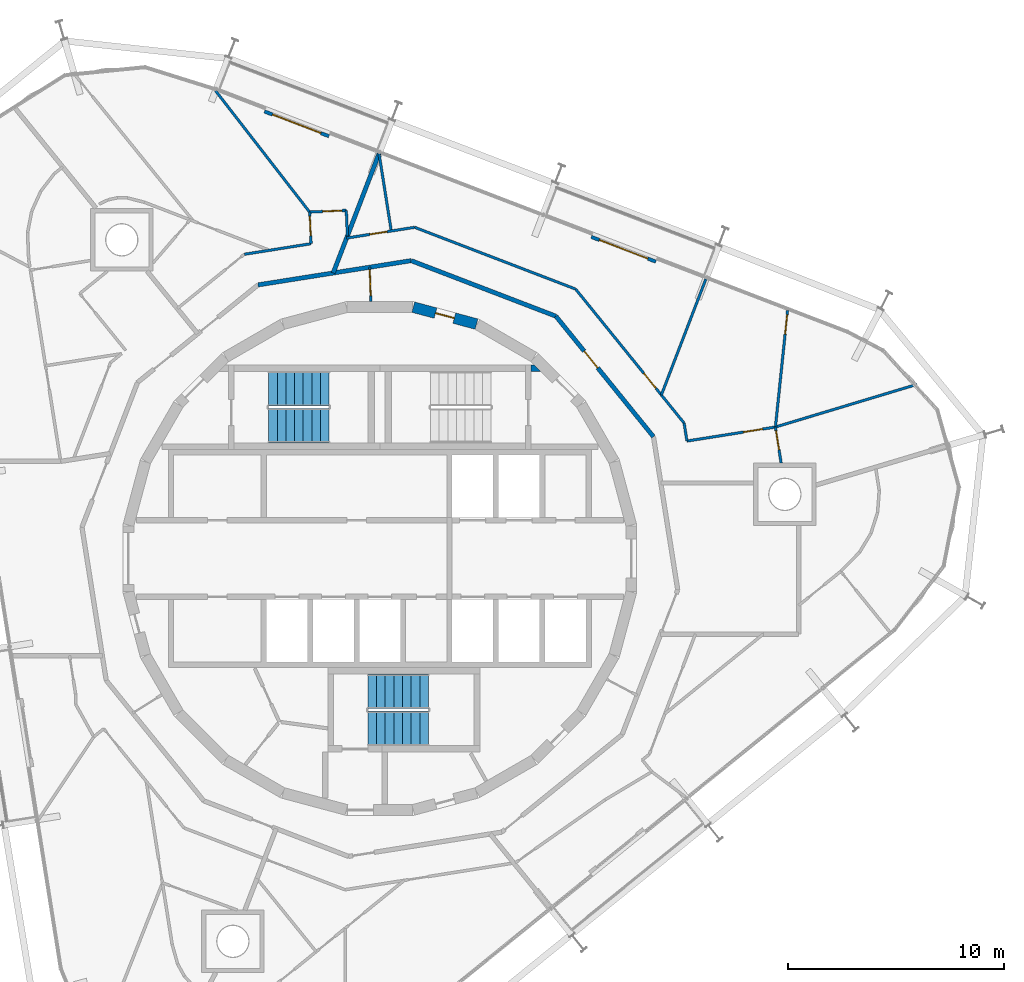
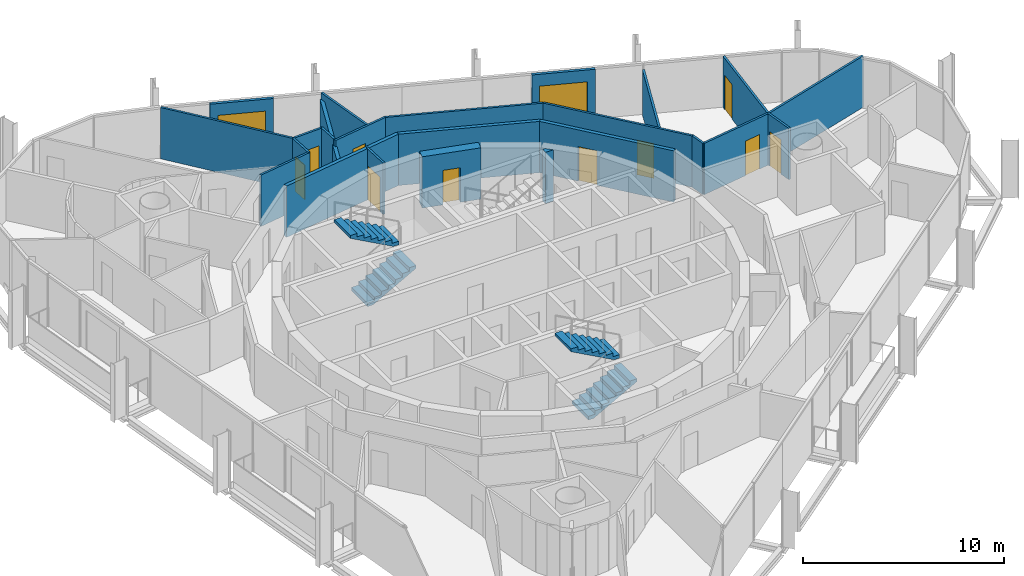
# One storey, part 16 of 18: 24 walls, 12 doors, 4 stair flights, 12 openings, 2 elements without a shape of their own.
"""IFC4 building model written with IfcOpenShell, lengths in metres."""

from ifc_helpers import new_model, si_unit, direction, frame, frame_2d, origin, place, context, subcontext, project, spatial, polyline, rectangle, outline, extrude, material, layer, layer_set, type_object, element, fill, aggregate, save


model = new_model("IFC4")

# Units and contexts
model_context = context("Model", 3, precision=1e-05, world=origin(), true_north=direction((0.0, 1.0)))
body_context = subcontext(model_context, "Body", "Model", "MODEL_VIEW")
ifc_project = project(units=[si_unit("LENGTHUNIT", "METRE"), si_unit("AREAUNIT", "SQUARE_METRE"), si_unit("VOLUMEUNIT", "CUBIC_METRE"), si_unit("PLANEANGLEUNIT", "RADIAN"), si_unit("MASSUNIT", "GRAM", prefix="KILO")], contexts=[model_context])

# Site, building, storey
site_placement = place(None, origin())
site = spatial("IfcSite", under=ifc_project, at=site_placement, CompositionType="ELEMENT")
building_placement = place(site_placement, origin())
building = spatial("IfcBuilding", under=site, at=building_placement, Name="Spindle Arch Residences", CompositionType="ELEMENT")
storey_placement = place(building_placement, frame((0.0, 0.0, 273.89990234375)))
storey = spatial("IfcBuildingStorey", under=building, at=storey_placement, Name="L70", CompositionType="ELEMENT", Elevation=273.89990234375)

# Wall, opening, door
ifc_material_1 = material(Name="Concrete C50/60", Category="concrete")
ifc_layer_1 = layer(ifc_material_1, 0.5)
ifc_layer_set_1 = layer_set([ifc_layer_1], Name="Core outline wall 500")
wall_type_1 = type_object("IfcWallType", Name="Core outline wall 500", PredefinedType="SHEAR", material=ifc_layer_set_1)
wall_1_placement = place(storey_placement, frame((4.479248046875, 10.858154296875, 0.0), z_axis=(0.0, 0.0, 1.0), x_axis=(-0.965948410781, 0.258734743916, 0.0)))
wall_1 = element("IfcWall", 1, at=wall_1_placement, inside=storey, type_object=wall_type_1, Name="Core outline wall 11", PredefinedType="SHEAR", context=body_context, shape_type="SweptSolid", body=[
    extrude(rectangle(XDim=3.03271484375, YDim=0.5, at=frame_2d((1.516357421875, 0.0))), origin(), (0.0, 0.0, 1.0), 3.1201171875),
])
opening_1_placement = place(wall_1_placement, frame((1.066162109375, 0.0, 0.0)))
opening_1 = element("IfcOpeningElement", 2, at=opening_1_placement, cuts=wall_1, Name="Opening R7B1-WD11", PredefinedType="OPENING", context=body_context, shape_type="SweptSolid", body=[
    extrude(rectangle(XDim=0.89990234375, YDim=2.10009765625, at=frame_2d((0.449951171875, 1.050048828125))), frame((0.0, 0.260009765625, 0.0), z_axis=(0.0, -1.0, 0.0), x_axis=(1.0, 0.0, 0.0)), (0.0, 0.0, 1.0), 0.52001953125),
])
ifc_material_2 = material(Name="Steel, fire-resisting door", Category="steel")
door_type_1 = type_object("IfcDoorType", Name="Service room door 900x2100", OperationType="SINGLE_SWING_LEFT", PredefinedType="DOOR", material=ifc_material_2)
door_1_placement = place(opening_1_placement, origin())
door_1 = element("IfcDoor", 3, at=door_1_placement, inside=storey, type_object=door_type_1, Name="Service room door R7B1-WD11", OperationType="SINGLE_SWING_LEFT", OverallHeight=2.10009765625, OverallWidth=0.89990234375, PredefinedType="DOOR", context=body_context, shape_type="SweptSolid", body=[
    extrude(rectangle(XDim=0.89990234375, YDim=2.10009765625, at=frame_2d((0.449951171875, 1.050048828125))), frame((0.0, 0.02490234375, 0.0), z_axis=(0.0, -1.0, 0.0), x_axis=(1.0, 0.0, 0.0)), (0.0, 0.0, 1.0), 0.050048828125),
])
fill(opening_1, door_1)

ifc_material_3 = material(Name="Plasterboard on steel studs", Category="steel")
ifc_layer_2 = layer(ifc_material_3, 0.1201171875)
ifc_layer_set_2 = layer_set([ifc_layer_2], Name="Corridor division wall 120")
wall_type_2 = type_object("IfcWallType", Name="Corridor division wall 120", PredefinedType="PARTITIONING", material=ifc_layer_set_2)
wall_2_placement = place(storey_placement, frame((-0.47119140625, 13.492431640625, 0.0), z_axis=(0.0, 0.0, 1.0), x_axis=(0.034873173869, -0.999391745886, 0.0)))
wall_2 = element("IfcWall", 4, at=wall_2_placement, inside=storey, type_object=wall_type_2, Name="Corridor division wall R7B1-W001", PredefinedType="PARTITIONING", context=body_context, shape_type="SweptSolid", body=[
    extrude(rectangle(XDim=1.59619140625, YDim=0.1201171875, at=frame_2d((0.798095703125, 0.0))), origin(), (0.0, 0.0, 1.0), 3.1201171875),
])
opening_2_placement = place(wall_2_placement, frame((0.1201171875, 0.0, 0.0)))
opening_2 = element("IfcOpeningElement", 5, at=opening_2_placement, cuts=wall_2, Name="Opening R7B1-CD01", PredefinedType="OPENING", context=body_context, shape_type="SweptSolid", body=[
    extrude(rectangle(XDim=1.199951171875, YDim=2.10009765625, at=frame_2d((0.60009765625, 1.050048828125))), frame((0.0, 0.070068359375, 0.0), z_axis=(0.0, -1.0, 0.0), x_axis=(1.0, 0.0, 0.0)), (0.0, 0.0, 1.0), 0.14013671875),
])
ifc_material_4 = material(Name="Steel, fire-resisting door", Category="steel")
door_type_2 = type_object("IfcDoorType", Name="Corridor division door 1200x2100", OperationType="NOTDEFINED", PredefinedType="DOOR", material=ifc_material_4)
door_2_placement = place(opening_2_placement, origin())
door_2 = element("IfcDoor", 6, at=door_2_placement, inside=storey, type_object=door_type_2, Name="Corridor division door R7B1-CD01", OperationType="DOUBLE_DOOR_SINGLE_SWING", OverallHeight=2.10009765625, OverallWidth=1.199951171875, PredefinedType="DOOR", context=body_context, shape_type="SweptSolid", body=[
    extrude(rectangle(XDim=1.199951171875, YDim=2.10009765625, at=frame_2d((0.60009765625, 1.050048828125))), frame((0.0, 0.02490234375, 0.0), z_axis=(0.0, -1.0, 0.0), x_axis=(1.0, 0.0, 0.0)), (0.0, 0.0, 1.0), 0.050048828125),
])
fill(opening_2, door_2)

ifc_material_5 = material(Name="Calcium silicate block, plastered")
ifc_layer_3 = layer(ifc_material_5, 0.199951171875)
ifc_layer_set_3 = layer_set([ifc_layer_3], Name="Corridor wall 200")
wall_type_3 = type_object("IfcWallType", Name="Corridor wall 200", PredefinedType="STANDARD", material=ifc_layer_set_3)
wall_3_placement = place(storey_placement, frame((12.67333984375, 5.642578125, 0.0), z_axis=(0.0, 0.0, 1.0), x_axis=(-0.629302871585, 0.777160148113, 0.0)))
wall_3 = element("IfcWall", 7, at=wall_3_placement, inside=storey, type_object=wall_type_3, Name="Corridor wall R7B1-W006", PredefinedType="STANDARD", context=body_context, shape_type="SweptSolid", body=[
    extrude(rectangle(XDim=7.180908203125, YDim=0.199951171875, at=frame_2d((3.59033203125, 0.0))), origin(), (0.0, 0.0, 1.0), 3.1201171875),
])
opening_3_placement = place(wall_3_placement, frame((4.10009765625, 0.0, 0.0)))
opening_3 = element("IfcOpeningElement", 8, at=opening_3_placement, cuts=wall_3, Name="Opening R7B1-FD01", PredefinedType="OPENING", context=body_context, shape_type="SweptSolid", body=[
    extrude(rectangle(XDim=1.0, YDim=2.10009765625, at=frame_2d((0.5, 1.050048828125))), frame((0.0, 0.10986328125, 0.0), z_axis=(0.0, -1.0, 0.0), x_axis=(1.0, 0.0, 0.0)), (0.0, 0.0, 1.0), 0.219970703125),
])
ifc_material_6 = material(Name="Timber, fire-resisting door set", Category="wood")
door_type_3 = type_object("IfcDoorType", Name="Flat entrance door 1000x2100", OperationType="NOTDEFINED", PredefinedType="DOOR", material=ifc_material_6)
door_3_placement = place(opening_3_placement, origin())
door_3 = element("IfcDoor", 9, at=door_3_placement, inside=storey, type_object=door_type_3, Name="Flat entrance door R7B1-FD01", OperationType="SINGLE_SWING_LEFT", OverallHeight=2.10009765625, OverallWidth=1.0, PredefinedType="DOOR", context=body_context, shape_type="SweptSolid", body=[
    extrude(rectangle(XDim=1.0, YDim=2.10009765625, at=frame_2d((0.5, 1.050048828125))), frame((0.0, 0.02490234375, 0.0), z_axis=(0.0, -1.0, 0.0), x_axis=(1.0, 0.0, 0.0)), (0.0, 0.0, 1.0), 0.050048828125),
])
fill(opening_3, door_3)

# Walls
wall_4_placement = place(storey_placement, frame((8.154296875, 11.223388671875, 0.0), z_axis=(0.0, 0.0, 1.0), x_axis=(-0.93359073609, 0.358341090983, 0.0)))
element("IfcWall", 10, at=wall_4_placement, inside=storey, type_object=wall_type_3, Name="Corridor wall R7B1-W007", PredefinedType="STANDARD", context=body_context, shape_type="SweptSolid", body=[
    extrude(rectangle(XDim=7.180908203125, YDim=0.199951171875, at=frame_2d((3.59033203125, 0.0))), origin(), (0.0, 0.0, 1.0), 3.1201171875),
])
wall_5_placement = place(storey_placement, frame((1.4501953125, 13.796630859375, 0.0), z_axis=(0.0, 0.0, 1.0), x_axis=(-0.987690361611, -0.156421704315, 0.0)))
element("IfcWall", 11, at=wall_5_placement, inside=storey, type_object=wall_type_3, Name="Corridor wall R7B1-W008", PredefinedType="STANDARD", context=body_context, shape_type="SweptSolid", body=[
    extrude(rectangle(XDim=7.18115234375, YDim=0.199951171875, at=frame_2d((3.590576171875, 0.0))), origin(), (0.0, 0.0, 1.0), 3.1201171875),
])

# Wall, opening, door
ifc_material_7 = material(Name="Plasterboard on steel studs", Category="steel")
ifc_layer_4 = layer(ifc_material_7, 0.1201171875)
ifc_layer_set_4 = layer_set([ifc_layer_4], Name="Flat partition 120")
wall_type_4 = type_object("IfcWallType", Name="Flat partition 120", PredefinedType="PARTITIONING", material=ifc_layer_set_4)
wall_6_placement = place(storey_placement, frame((18.5869140625, 4.421142578125, 0.0), z_axis=(0.0, 0.0, 1.0), x_axis=(-0.156474488977, 0.987682000595, 0.0)))
wall_6 = element("IfcWall", 12, at=wall_6_placement, inside=storey, type_object=wall_type_4, Name="Flat partition R7B1-W031", PredefinedType="PARTITIONING", context=body_context, shape_type="SweptSolid", body=[
    extrude(rectangle(XDim=1.689697265625, YDim=0.1201171875, at=frame_2d((0.8447265625, 0.0))), origin(), (0.0, 0.0, 1.0), 3.1201171875),
])
opening_4_placement = place(wall_6_placement, frame((0.6201171875, 0.0, 0.0)))
opening_4 = element("IfcOpeningElement", 13, at=opening_4_placement, cuts=wall_6, Name="Opening R7B1-ID01", PredefinedType="OPENING", context=body_context, shape_type="SweptSolid", body=[
    extrude(rectangle(XDim=0.89990234375, YDim=2.10009765625, at=frame_2d((0.449951171875, 1.050048828125))), frame((0.0, 0.070068359375, 0.0), z_axis=(0.0, -1.0, 0.0), x_axis=(1.0, 0.0, 0.0)), (0.0, 0.0, 1.0), 0.14013671875),
])
ifc_material_8 = material(Name="Timber door set", Category="wood")
door_type_4 = type_object("IfcDoorType", Name="Room door 900x2100", OperationType="NOTDEFINED", PredefinedType="DOOR", material=ifc_material_8)
door_4_placement = place(opening_4_placement, origin())
door_4 = element("IfcDoor", 14, at=door_4_placement, inside=storey, type_object=door_type_4, Name="Room door R7B1-ID01", OperationType="SINGLE_SWING_LEFT", OverallHeight=2.10009765625, OverallWidth=0.89990234375, PredefinedType="DOOR", context=body_context, shape_type="SweptSolid", body=[
    extrude(rectangle(XDim=0.89990234375, YDim=2.10009765625, at=frame_2d((0.449951171875, 1.050048828125))), frame((0.0, 0.02490234375, 0.0), z_axis=(0.0, -1.0, 0.0), x_axis=(1.0, 0.0, 0.0)), (0.0, 0.0, 1.0), 0.050048828125),
])
fill(opening_4, door_4)

wall_7_placement = place(storey_placement, frame((18.322509765625, 6.090087890625, 0.0), z_axis=(0.0, 0.0, 1.0), x_axis=(-0.987686518745, -0.156445967317, 0.0)))
wall_7 = element("IfcWall", 15, at=wall_7_placement, inside=storey, type_object=wall_type_4, Name="Flat partition R7B1-W032", PredefinedType="PARTITIONING", context=body_context, shape_type="SweptSolid", body=[
    extrude(rectangle(XDim=4.1494140625, YDim=0.1201171875, at=frame_2d((2.07470703125, 0.0))), origin(), (0.0, 0.0, 1.0), 3.1201171875),
])
opening_5_placement = place(wall_7_placement, frame((0.60009765625, 0.0, 0.0)))
opening_5 = element("IfcOpeningElement", 16, at=opening_5_placement, cuts=wall_7, Name="Opening R7B1-ID02", PredefinedType="OPENING", context=body_context, shape_type="SweptSolid", body=[
    extrude(rectangle(XDim=0.89990234375, YDim=2.10009765625, at=frame_2d((0.449951171875, 1.050048828125))), frame((0.0, 0.070068359375, 0.0), z_axis=(0.0, -1.0, 0.0), x_axis=(1.0, 0.0, 0.0)), (0.0, 0.0, 1.0), 0.14013671875),
])
door_5_placement = place(opening_5_placement, origin())
door_5 = element("IfcDoor", 17, at=door_5_placement, inside=storey, type_object=door_type_4, Name="Room door R7B1-ID02", OperationType="SINGLE_SWING_RIGHT", OverallHeight=2.10009765625, OverallWidth=0.89990234375, PredefinedType="DOOR", context=body_context, shape_type="SweptSolid", body=[
    extrude(rectangle(XDim=0.89990234375, YDim=2.10009765625, at=frame_2d((0.449951171875, 1.050048828125))), frame((0.0, 0.02490234375, 0.0), z_axis=(0.0, -1.0, 0.0), x_axis=(1.0, 0.0, 0.0)), (0.0, 0.0, 1.0), 0.050048828125),
])
fill(opening_5, door_5)

# Wall
wall_8_placement = place(storey_placement, frame((14.22412109375, 5.44091796875, 0.0), z_axis=(0.0, 0.0, 1.0), x_axis=(-0.156556956418, 0.987668932081, 0.0)))
element("IfcWall", 18, at=wall_8_placement, inside=storey, type_object=wall_type_4, Name="Flat partition R7B1-W033", PredefinedType="PARTITIONING", context=body_context, shape_type="SweptSolid", body=[
    extrude(rectangle(XDim=0.84375, YDim=0.1201171875, at=frame_2d((0.421875, 0.0))), origin(), (0.0, 0.0, 1.0), 3.1201171875),
])

# Wall, opening, door
wall_9_placement = place(storey_placement, frame((14.092041015625, 6.274169921875, 0.0), z_axis=(0.0, 0.0, 1.0), x_axis=(-0.62933367237, 0.777135206268, 0.0)))
wall_9 = element("IfcWall", 19, at=wall_9_placement, inside=storey, type_object=wall_type_4, Name="Flat partition R7B1-W034", PredefinedType="PARTITIONING", context=body_context, shape_type="SweptSolid", body=[
    extrude(rectangle(XDim=7.98486328125, YDim=0.1201171875, at=frame_2d((3.992431640625, 0.0))), origin(), (0.0, 0.0, 1.0), 3.1201171875),
])
opening_6_placement = place(wall_9_placement, frame((2.07275390625, 0.0, 0.0)))
opening_6 = element("IfcOpeningElement", 20, at=opening_6_placement, cuts=wall_9, Name="Opening R7B1-ID03", PredefinedType="OPENING", context=body_context, shape_type="SweptSolid", body=[
    extrude(rectangle(XDim=0.89990234375, YDim=2.10009765625, at=frame_2d((0.449951171875, 1.050048828125))), frame((0.0, 0.070068359375, 0.0), z_axis=(0.0, -1.0, 0.0), x_axis=(1.0, 0.0, 0.0)), (0.0, 0.0, 1.0), 0.14013671875),
])
door_6_placement = place(opening_6_placement, origin())
door_6 = element("IfcDoor", 21, at=door_6_placement, inside=storey, type_object=door_type_4, Name="Room door R7B1-ID03", OperationType="SINGLE_SWING_LEFT", OverallHeight=2.10009765625, OverallWidth=0.89990234375, PredefinedType="DOOR", context=body_context, shape_type="SweptSolid", body=[
    extrude(rectangle(XDim=0.89990234375, YDim=2.10009765625, at=frame_2d((0.449951171875, 1.050048828125))), frame((0.0, 0.02490234375, 0.0), z_axis=(0.0, -1.0, 0.0), x_axis=(1.0, 0.0, 0.0)), (0.0, 0.0, 1.0), 0.050048828125),
])
fill(opening_6, door_6)

# Wall
wall_10_placement = place(storey_placement, frame((9.06689453125, 12.4794921875, 0.0), z_axis=(0.0, 0.0, 1.0), x_axis=(-0.933579449035, 0.358370495911, 0.0)))
element("IfcWall", 22, at=wall_10_placement, inside=storey, type_object=wall_type_4, Name="Flat partition R7B1-W035", PredefinedType="PARTITIONING", context=body_context, shape_type="SweptSolid", body=[
    extrude(rectangle(XDim=7.98486328125, YDim=0.1201171875, at=frame_2d((3.992431640625, 0.0))), origin(), (0.0, 0.0, 1.0), 3.1201171875),
])

# Wall, opening, door
wall_11_placement = place(storey_placement, frame((1.6123046875, 15.341064453125, 0.0), z_axis=(0.0, 0.0, 1.0), x_axis=(-0.987687176419, -0.156441815179, 0.0)))
wall_11 = element("IfcWall", 23, at=wall_11_placement, inside=storey, type_object=wall_type_4, Name="Flat partition R7B1-W036", PredefinedType="PARTITIONING", context=body_context, shape_type="SweptSolid", body=[
    extrude(rectangle(XDim=3.19140625, YDim=0.1201171875, at=frame_2d((1.595703125, 0.0))), origin(), (0.0, 0.0, 1.0), 3.1201171875),
])
opening_7_placement = place(wall_11_placement, frame((1.29541015625, 0.0, 0.0)))
opening_7 = element("IfcOpeningElement", 24, at=opening_7_placement, cuts=wall_11, Name="Opening R7B1-BD01", PredefinedType="OPENING", context=body_context, shape_type="SweptSolid", body=[
    extrude(rectangle(XDim=0.800048828125, YDim=2.10009765625, at=frame_2d((0.39990234375, 1.050048828125))), frame((0.0, 0.070068359375, 0.0), z_axis=(0.0, -1.0, 0.0), x_axis=(1.0, 0.0, 0.0)), (0.0, 0.0, 1.0), 0.14013671875),
])
ifc_material_9 = material(Name="Timber door set", Category="wood")
door_type_5 = type_object("IfcDoorType", Name="Bathroom door 800x2100", OperationType="NOTDEFINED", PredefinedType="DOOR", material=ifc_material_9)
door_7_placement = place(opening_7_placement, origin())
door_7 = element("IfcDoor", 25, at=door_7_placement, inside=storey, type_object=door_type_5, Name="Bathroom door R7B1-BD01", OperationType="SINGLE_SWING_RIGHT", OverallHeight=2.10009765625, OverallWidth=0.800048828125, PredefinedType="DOOR", context=body_context, shape_type="SweptSolid", body=[
    extrude(rectangle(XDim=0.800048828125, YDim=2.10009765625, at=frame_2d((0.39990234375, 1.050048828125))), frame((0.0, 0.02490234375, 0.0), z_axis=(0.0, -1.0, 0.0), x_axis=(1.0, 0.0, 0.0)), (0.0, 0.0, 1.0), 0.050048828125),
])
fill(opening_7, door_7)

# Wall
wall_12_placement = place(storey_placement, frame((24.8828125, 8.066650390625, 0.0), z_axis=(0.0, 0.0, 1.0), x_axis=(-0.957485305222, -0.288482044995, 0.0)))
element("IfcWall", 26, at=wall_12_placement, inside=storey, type_object=wall_type_4, Name="Flat partition R7B1-W037", PredefinedType="PARTITIONING", context=body_context, shape_type="SweptSolid", body=[
    extrude(rectangle(XDim=6.8515625, YDim=0.1201171875, at=frame_2d((3.42578125, 0.0))), origin(), (0.0, 0.0, 1.0), 3.1201171875),
])

# Wall, opening, door
wall_13_placement = place(storey_placement, frame((18.885498046875, 11.491943359375, 0.0), z_axis=(0.0, 0.0, 1.0), x_axis=(-0.10365981832, -0.994612810126, 0.0)))
wall_13 = element("IfcWall", 27, at=wall_13_placement, inside=storey, type_object=wall_type_4, Name="Flat partition R7B1-W038", PredefinedType="PARTITIONING", context=body_context, shape_type="SweptSolid", body=[
    extrude(rectangle(XDim=5.43115234375, YDim=0.1201171875, at=frame_2d((2.715576171875, 0.0))), origin(), (0.0, 0.0, 1.0), 3.1201171875),
])
opening_8_placement = place(wall_13_placement, frame((0.199951171875, 0.0, 0.0)))
opening_8 = element("IfcOpeningElement", 28, at=opening_8_placement, cuts=wall_13, Name="Opening R7B1-ID04", PredefinedType="OPENING", context=body_context, shape_type="SweptSolid", body=[
    extrude(rectangle(XDim=0.89990234375, YDim=2.10009765625, at=frame_2d((0.449951171875, 1.050048828125))), frame((0.0, 0.070068359375, 0.0), z_axis=(0.0, -1.0, 0.0), x_axis=(1.0, 0.0, 0.0)), (0.0, 0.0, 1.0), 0.14013671875),
])
door_8_placement = place(opening_8_placement, origin())
door_8 = element("IfcDoor", 29, at=door_8_placement, inside=storey, type_object=door_type_4, Name="Room door R7B1-ID04", OperationType="SINGLE_SWING_LEFT", OverallHeight=2.10009765625, OverallWidth=0.89990234375, PredefinedType="DOOR", context=body_context, shape_type="SweptSolid", body=[
    extrude(rectangle(XDim=0.89990234375, YDim=2.10009765625, at=frame_2d((0.449951171875, 1.050048828125))), frame((0.0, 0.02490234375, 0.0), z_axis=(0.0, -1.0, 0.0), x_axis=(1.0, 0.0, 0.0)), (0.0, 0.0, 1.0), 0.050048828125),
])
fill(opening_8, door_8)

# Walls
wall_14_placement = place(storey_placement, frame((-0.037353515625, 18.755615234375, 0.0), z_axis=(0.0, 0.0, 1.0), x_axis=(0.156421851095, -0.987690338365, 0.0)))
element("IfcWall", 30, at=wall_14_placement, inside=storey, type_object=wall_type_4, Name="Flat partition R7B1-W040", PredefinedType="PARTITIONING", context=body_context, shape_type="SweptSolid", body=[
    extrude(rectangle(XDim=3.63037109375, YDim=0.1201171875, at=frame_2d((1.815185546875, 0.0))), origin(), (0.0, 0.0, 1.0), 3.1201171875),
])
wall_15_placement = place(storey_placement, frame((-1.499755859375, 14.946044921875, 0.0), z_axis=(0.0, 0.0, 1.0), x_axis=(-0.045923747874, 0.998944948123, 0.0)))
element("IfcWall", 31, at=wall_15_placement, inside=storey, type_object=wall_type_4, Name="Flat partition R7B1-W041", PredefinedType="PARTITIONING", context=body_context, shape_type="SweptSolid", body=[
    extrude(rectangle(XDim=1.18017578125, YDim=0.1201171875, at=frame_2d((0.590087890625, 0.0))), origin(), (0.0, 0.0, 1.0), 3.1201171875),
])

# Wall, opening, door
wall_16_placement = place(storey_placement, frame((-1.553955078125, 16.125, 0.0), z_axis=(0.0, 0.0, 1.0), x_axis=(-0.998943517875, -0.045954848436, 0.0)))
wall_16 = element("IfcWall", 32, at=wall_16_placement, inside=storey, type_object=wall_type_4, Name="Flat partition R7B1-W042", PredefinedType="PARTITIONING", context=body_context, shape_type="SweptSolid", body=[
    extrude(rectangle(XDim=1.699951171875, YDim=0.1201171875, at=frame_2d((0.85009765625, 0.0))), origin(), (0.0, 0.0, 1.0), 3.1201171875),
])
opening_9_placement = place(wall_16_placement, frame((0.199951171875, 0.0, 0.0)))
opening_9 = element("IfcOpeningElement", 33, at=opening_9_placement, cuts=wall_16, Name="Opening R7B1-ID05", PredefinedType="OPENING", context=body_context, shape_type="SweptSolid", body=[
    extrude(rectangle(XDim=0.89990234375, YDim=2.10009765625, at=frame_2d((0.449951171875, 1.050048828125))), frame((0.0, 0.070068359375, 0.0), z_axis=(0.0, -1.0, 0.0), x_axis=(1.0, 0.0, 0.0)), (0.0, 0.0, 1.0), 0.14013671875),
])
door_9_placement = place(opening_9_placement, origin())
door_9 = element("IfcDoor", 34, at=door_9_placement, inside=storey, type_object=door_type_4, Name="Room door R7B1-ID05", OperationType="SINGLE_SWING_RIGHT", OverallHeight=2.10009765625, OverallWidth=0.89990234375, PredefinedType="DOOR", context=body_context, shape_type="SweptSolid", body=[
    extrude(rectangle(XDim=0.89990234375, YDim=2.10009765625, at=frame_2d((0.449951171875, 1.050048828125))), frame((0.0, 0.02490234375, 0.0), z_axis=(0.0, -1.0, 0.0), x_axis=(1.0, 0.0, 0.0)), (0.0, 0.0, 1.0), 0.050048828125),
])
fill(opening_9, door_9)

wall_17_placement = place(storey_placement, frame((-3.252197265625, 16.046875, 0.0), z_axis=(0.0, 0.0, 1.0), x_axis=(0.045928493331, -0.998944729953, 0.0)))
wall_17 = element("IfcWall", 35, at=wall_17_placement, inside=storey, type_object=wall_type_4, Name="Flat partition R7B1-W043", PredefinedType="PARTITIONING", context=body_context, shape_type="SweptSolid", body=[
    extrude(rectangle(XDim=1.467041015625, YDim=0.1201171875, at=frame_2d((0.7333984375, 0.0))), origin(), (0.0, 0.0, 1.0), 3.1201171875),
])
opening_10_placement = place(wall_17_placement, frame((0.199951171875, 0.0, 0.0)))
opening_10 = element("IfcOpeningElement", 36, at=opening_10_placement, cuts=wall_17, Name="Opening R7B1-ID06", PredefinedType="OPENING", context=body_context, shape_type="SweptSolid", body=[
    extrude(rectangle(XDim=0.89990234375, YDim=2.10009765625, at=frame_2d((0.449951171875, 1.050048828125))), frame((0.0, 0.070068359375, 0.0), z_axis=(0.0, -1.0, 0.0), x_axis=(1.0, 0.0, 0.0)), (0.0, 0.0, 1.0), 0.14013671875),
])
door_10_placement = place(opening_10_placement, origin())
door_10 = element("IfcDoor", 37, at=door_10_placement, inside=storey, type_object=door_type_4, Name="Room door R7B1-ID06", OperationType="SINGLE_SWING_LEFT", OverallHeight=2.10009765625, OverallWidth=0.89990234375, PredefinedType="DOOR", context=body_context, shape_type="SweptSolid", body=[
    extrude(rectangle(XDim=0.89990234375, YDim=2.10009765625, at=frame_2d((0.449951171875, 1.050048828125))), frame((0.0, 0.02490234375, 0.0), z_axis=(0.0, -1.0, 0.0), x_axis=(1.0, 0.0, 0.0)), (0.0, 0.0, 1.0), 0.050048828125),
])
fill(opening_10, door_10)

# Walls
wall_18_placement = place(storey_placement, frame((-3.184814453125, 14.581298828125, 0.0), z_axis=(0.0, 0.0, 1.0), x_axis=(-0.987690712769, -0.156419486991, 0.0)))
element("IfcWall", 38, at=wall_18_placement, inside=storey, type_object=wall_type_4, Name="Flat partition R7B1-W044", PredefinedType="PARTITIONING", context=body_context, shape_type="SweptSolid", body=[
    extrude(rectangle(XDim=3.1279296875, YDim=0.1201171875, at=frame_2d((1.56396484375, 0.0))), origin(), (0.0, 0.0, 1.0), 3.1201171875),
])
wall_19_placement = place(storey_placement, frame((-7.6064453125, 21.6611328125, 0.0), z_axis=(0.0, 0.0, 1.0), x_axis=(0.612852858705, -0.79019704731, 0.0)))
element("IfcWall", 39, at=wall_19_placement, inside=storey, type_object=wall_type_4, Name="Flat partition R7B1-W046", PredefinedType="PARTITIONING", context=body_context, shape_type="SweptSolid", body=[
    extrude(rectangle(XDim=7.10498046875, YDim=0.1201171875, at=frame_2d((3.552490234375, 0.0))), origin(), (0.0, 0.0, 1.0), 3.1201171875),
])
ifc_material_10 = material(Name="Plasterboard on steel studs", Category="steel")
ifc_layer_5 = layer(ifc_material_10, 0.1201171875)
ifc_layer_set_5 = layer_set([ifc_layer_5], Name="Flat partition 120 under beam 2730")
wall_type_5 = type_object("IfcWallType", Name="Flat partition 120 under beam 2730", PredefinedType="PARTITIONING", material=ifc_layer_set_5)
wall_20_placement = place(storey_placement, frame((15.100830078125, 12.944580078125, 0.0), z_axis=(0.0, 0.0, 1.0), x_axis=(-0.358373232579, -0.933578398513, 0.0)))
element("IfcWall", 40, at=wall_20_placement, inside=storey, type_object=wall_type_5, Name="Flat partition R7B1-W039", PredefinedType="PARTITIONING", context=body_context, shape_type="SweptSolid", body=[
    extrude(rectangle(XDim=5.75244140625, YDim=0.1201171875, at=frame_2d((2.876220703125, 0.0))), origin(), (0.0, 0.0, 1.0), 2.72998046875),
])
ifc_material_11 = material(Name="Calcium silicate block, plastered")
ifc_layer_6 = layer(ifc_material_11, 0.199951171875)
ifc_layer_set_6 = layer_set([ifc_layer_6], Name="Flat party wall 200 under beam 2730")
wall_type_6 = type_object("IfcWallType", Name="Flat party wall 200 under beam 2730", PredefinedType="STANDARD", material=ifc_layer_set_6)
wall_21_placement = place(storey_placement, frame((-0.037353515625, 18.755615234375, 0.0), z_axis=(0.0, 0.0, 1.0), x_axis=(-0.358365943542, -0.933581196527, 0.0)))
element("IfcWall", 41, at=wall_21_placement, inside=storey, type_object=wall_type_6, Name="Flat party wall R7B1-W023", PredefinedType="STANDARD", context=body_context, shape_type="SweptSolid", body=[
    extrude(rectangle(XDim=5.92431640625, YDim=0.199951171875, at=frame_2d((2.962158203125, 0.0))), origin(), (0.0, 0.0, 1.0), 2.72998046875),
])

# Wall, opening, door
ifc_material_12 = material(Name="Non-combustible mineral wool insulated aluminium faced external wall (K0)", Category="aluminium")
ifc_layer_7 = layer(ifc_material_12, 0.159912109375)
ifc_layer_set_7 = layer_set([ifc_layer_7], Name="Insulated external wall panel 160")
wall_type_7 = type_object("IfcWallType", Name="Insulated external wall panel 160", PredefinedType="STANDARD", material=ifc_layer_set_7)
wall_22_placement = place(storey_placement, frame((12.78125, 13.74951171875, 0.0), z_axis=(0.0, 0.0, 1.0), x_axis=(-0.933579413923, 0.358370587381, 0.0)))
wall_22 = element("IfcWall", 42, at=wall_22_placement, inside=storey, type_object=wall_type_7, Name="External wall L70 bay 6", PredefinedType="STANDARD", context=body_context, shape_type="SweptSolid", body=[
    extrude(rectangle(XDim=3.199951171875, YDim=0.159912109375, at=frame_2d((1.60009765625, 0.0))), origin(), (0.0, 0.0, 1.0), 3.1201171875),
])
opening_11_placement = place(wall_22_placement, frame((0.39990234375, 0.0, 0.0)))
opening_11 = element("IfcOpeningElement", 43, at=opening_11_placement, cuts=wall_22, Name="Opening BD06", PredefinedType="OPENING", context=body_context, shape_type="SweptSolid", body=[
    extrude(rectangle(XDim=2.39990234375, YDim=2.39990234375, at=frame_2d((1.199951171875, 1.199951171875))), frame((0.0, 0.08984375, 0.0), z_axis=(0.0, -1.0, 0.0), x_axis=(1.0, 0.0, 0.0)), (0.0, 0.0, 1.0), 0.179931640625),
])
ifc_material_13 = material(Name="Bronze aluminium frame, tinted double glazing", Category="aluminium")
door_type_6 = type_object("IfcDoorType", Name="Sliding glazed balcony door 2400x2400", OperationType="DOUBLE_DOOR_SLIDING", PredefinedType="DOOR", material=ifc_material_13)
door_11_placement = place(opening_11_placement, origin())
door_11 = element("IfcDoor", 44, at=door_11_placement, inside=storey, type_object=door_type_6, Name="Balcony door BD06", OperationType="DOUBLE_DOOR_SLIDING", OverallHeight=2.39990234375, OverallWidth=2.39990234375, PredefinedType="DOOR", context=body_context, shape_type="SweptSolid", body=[
    extrude(rectangle(XDim=2.39990234375, YDim=2.39990234375, at=frame_2d((1.199951171875, 1.199951171875))), frame((0.0, 0.02490234375, 0.0), z_axis=(0.0, -1.0, 0.0), x_axis=(1.0, 0.0, 0.0)), (0.0, 0.0, 1.0), 0.050048828125),
])
fill(opening_11, door_11)

wall_23_placement = place(storey_placement, frame((-2.35693359375, 19.560302734375, 0.0), z_axis=(0.0, 0.0, 1.0), x_axis=(-0.933553885508, 0.358437083534, 0.0)))
wall_23 = element("IfcWall", 45, at=wall_23_placement, inside=storey, type_object=wall_type_7, Name="External wall L70 bay 8", PredefinedType="STANDARD", context=body_context, shape_type="SweptSolid", body=[
    extrude(rectangle(XDim=3.199951171875, YDim=0.159912109375, at=frame_2d((1.60009765625, 0.0))), origin(), (0.0, 0.0, 1.0), 3.1201171875),
])
opening_12_placement = place(wall_23_placement, frame((0.39990234375, 0.0, 0.0)))
opening_12 = element("IfcOpeningElement", 46, at=opening_12_placement, cuts=wall_23, Name="Opening BD08", PredefinedType="OPENING", context=body_context, shape_type="SweptSolid", body=[
    extrude(rectangle(XDim=2.39990234375, YDim=2.39990234375, at=frame_2d((1.199951171875, 1.199951171875))), frame((0.0, 0.08984375, 0.0), z_axis=(0.0, -1.0, 0.0), x_axis=(1.0, 0.0, 0.0)), (0.0, 0.0, 1.0), 0.179931640625),
])
door_12_placement = place(opening_12_placement, origin())
door_12 = element("IfcDoor", 47, at=door_12_placement, inside=storey, type_object=door_type_6, Name="Balcony door BD08", OperationType="DOUBLE_DOOR_SLIDING", OverallHeight=2.39990234375, OverallWidth=2.39990234375, PredefinedType="DOOR", context=body_context, shape_type="SweptSolid", body=[
    extrude(rectangle(XDim=2.39990234375, YDim=2.39990234375, at=frame_2d((1.199951171875, 1.199951171875))), frame((0.0, 0.02490234375, 0.0), z_axis=(0.0, -1.0, 0.0), x_axis=(1.0, 0.0, 0.0)), (0.0, 0.0, 1.0), 0.050048828125),
])
fill(opening_12, door_12)

# Wall
ifc_material_14 = material(Name="Concrete C40/50", Category="concrete")
wall_type_8 = type_object("IfcWallType", Name="Stair airlock wall profile", PredefinedType="SHEAR", material=ifc_material_14)
wall_24_placement = place(storey_placement, origin())
element("IfcWall", 48, at=wall_24_placement, inside=storey, type_object=wall_type_8, Name="Stair ST-1 airlock wall N", PredefinedType="SHEAR", context=body_context, shape_type="SweptSolid", body=[
    extrude(outline(polyline([(7.4482421875, 8.669921875), (7.0, 8.669921875), (7.0, 8.969970703125), (7.148193359375, 8.969970703125), (7.4482421875, 8.669921875)])), origin(), (0.0, 0.0, 1.0), 3.1201171875),
])

# Stair, stair flights
ifc_material_15 = material(Name="Concrete C50/60", Category="concrete")
stair_type = type_object("IfcStairType", Name="Exit stair 16 risers", PredefinedType="HALF_TURN_STAIR", material=ifc_material_15)
stair_1_placement = place(storey_placement, origin())
stair_1 = element("IfcStair", 49, at=stair_1_placement, inside=storey, type_object=stair_type, Name="L70 Exit stair ST2", PredefinedType="HALF_TURN_STAIR")
ifc_material_16 = material(Name="Concrete C50/60", Category="concrete")
stair_flight_type = type_object("IfcStairFlightType", Name="Exit stair flight", PredefinedType="STRAIGHT", material=ifc_material_16)
stair_flight_1_placement = place(storey_placement, frame((-5.14990234375, 6.14990234375, 0.0), z_axis=(0.0, 0.0, 1.0), x_axis=(1.0, 0.0, 0.0)))
stair_flight_1 = element("IfcStairFlight", 50, at=stair_flight_1_placement, type_object=stair_flight_type, Name="ST2 flight 1", NumberOfRisers=8, NumberOfTreads=7, PredefinedType="STRAIGHT", RiserHeight=0.21875, TreadLength=0.4, context=body_context, shape_type="SweptSolid", body=[
    extrude(outline(polyline([(0.0, 0.0), (0.0, 0.21875), (0.39990234375, 0.21875), (0.39990234375, 0.4375), (0.800048828125, 0.4375), (0.800048828125, 0.65625), (1.199951171875, 0.65625), (1.199951171875, 0.875), (1.60009765625, 0.875), (1.60009765625, 1.09375), (2.0, 1.09375), (2.0, 1.3125), (2.39990234375, 1.3125), (2.39990234375, 1.53125), (2.800048828125, 1.53125), (2.800048828125, 1.75), (2.800048828125, 1.3603515625), (0.3125, 0.0), (0.0, 0.0)])), frame((0.0, 0.800048828125, 0.0), z_axis=(0.0, -1.0, 0.0), x_axis=(1.0, 0.0, 0.0)), (0.0, 0.0, 1.0), 1.60009765625),
])
stair_flight_2_placement = place(storey_placement, frame((-2.35009765625, 7.8701171875, 1.75), z_axis=(0.0, 0.0, 1.0), x_axis=(-1.0, 0.0, 0.0)))
stair_flight_2 = element("IfcStairFlight", 51, at=stair_flight_2_placement, type_object=stair_flight_type, Name="ST2 flight 2", NumberOfRisers=8, NumberOfTreads=7, PredefinedType="STRAIGHT", RiserHeight=0.21875, TreadLength=0.4, context=body_context, shape_type="SweptSolid", body=[
    extrude(outline(polyline([(0.0, 0.0), (0.0, 0.21875), (0.39990234375, 0.21875), (0.39990234375, 0.4375), (0.800048828125, 0.4375), (0.800048828125, 0.65625), (1.199951171875, 0.65625), (1.199951171875, 0.875), (1.60009765625, 0.875), (1.60009765625, 1.09375), (2.0, 1.09375), (2.0, 1.3125), (2.39990234375, 1.3125), (2.39990234375, 1.53125), (2.800048828125, 1.53125), (2.800048828125, 1.75), (2.800048828125, 1.3603515625), (0.3125, 0.0), (0.0, 0.0)])), frame((0.0, 0.800048828125, 0.0), z_axis=(0.0, -1.0, 0.0), x_axis=(1.0, 0.0, 0.0)), (0.0, 0.0, 1.0), 1.60009765625),
])
aggregate(stair_1, [stair_flight_1, stair_flight_2])

stair_2_placement = place(storey_placement, origin())
stair_2 = element("IfcStair", 52, at=stair_2_placement, inside=storey, type_object=stair_type, Name="L70 Exit stair ST3", PredefinedType="HALF_TURN_STAIR")
stair_flight_3_placement = place(storey_placement, frame((-0.550048828125, -7.8701171875, 0.0), z_axis=(0.0, 0.0, 1.0), x_axis=(1.0, 0.0, 0.0)))
stair_flight_3 = element("IfcStairFlight", 53, at=stair_flight_3_placement, type_object=stair_flight_type, Name="ST3 flight 1", NumberOfRisers=8, NumberOfTreads=7, PredefinedType="STRAIGHT", RiserHeight=0.21875, TreadLength=0.4, context=body_context, shape_type="SweptSolid", body=[
    extrude(outline(polyline([(0.0, 0.0), (0.0, 0.21875), (0.39990234375, 0.21875), (0.39990234375, 0.4375), (0.800048828125, 0.4375), (0.800048828125, 0.65625), (1.199951171875, 0.65625), (1.199951171875, 0.875), (1.60009765625, 0.875), (1.60009765625, 1.09375), (2.0, 1.09375), (2.0, 1.3125), (2.39990234375, 1.3125), (2.39990234375, 1.53125), (2.800048828125, 1.53125), (2.800048828125, 1.75), (2.800048828125, 1.3603515625), (0.3125, 0.0), (0.0, 0.0)])), frame((0.0, 0.800048828125, 0.0), z_axis=(0.0, -1.0, 0.0), x_axis=(1.0, 0.0, 0.0)), (0.0, 0.0, 1.0), 1.60009765625),
])
stair_flight_4_placement = place(storey_placement, frame((2.25, -6.14990234375, 1.75), z_axis=(0.0, 0.0, 1.0), x_axis=(-1.0, 0.0, 0.0)))
stair_flight_4 = element("IfcStairFlight", 54, at=stair_flight_4_placement, type_object=stair_flight_type, Name="ST3 flight 2", NumberOfRisers=8, NumberOfTreads=7, PredefinedType="STRAIGHT", RiserHeight=0.21875, TreadLength=0.4, context=body_context, shape_type="SweptSolid", body=[
    extrude(outline(polyline([(0.0, 0.0), (0.0, 0.21875), (0.39990234375, 0.21875), (0.39990234375, 0.4375), (0.800048828125, 0.4375), (0.800048828125, 0.65625), (1.199951171875, 0.65625), (1.199951171875, 0.875), (1.60009765625, 0.875), (1.60009765625, 1.09375), (2.0, 1.09375), (2.0, 1.3125), (2.39990234375, 1.3125), (2.39990234375, 1.53125), (2.800048828125, 1.53125), (2.800048828125, 1.75), (2.800048828125, 1.3603515625), (0.3125, 0.0), (0.0, 0.0)])), frame((0.0, 0.800048828125, 0.0), z_axis=(0.0, -1.0, 0.0), x_axis=(1.0, 0.0, 0.0)), (0.0, 0.0, 1.0), 1.60009765625),
])
aggregate(stair_2, [stair_flight_3, stair_flight_4])

save(model, "model.ifc")
